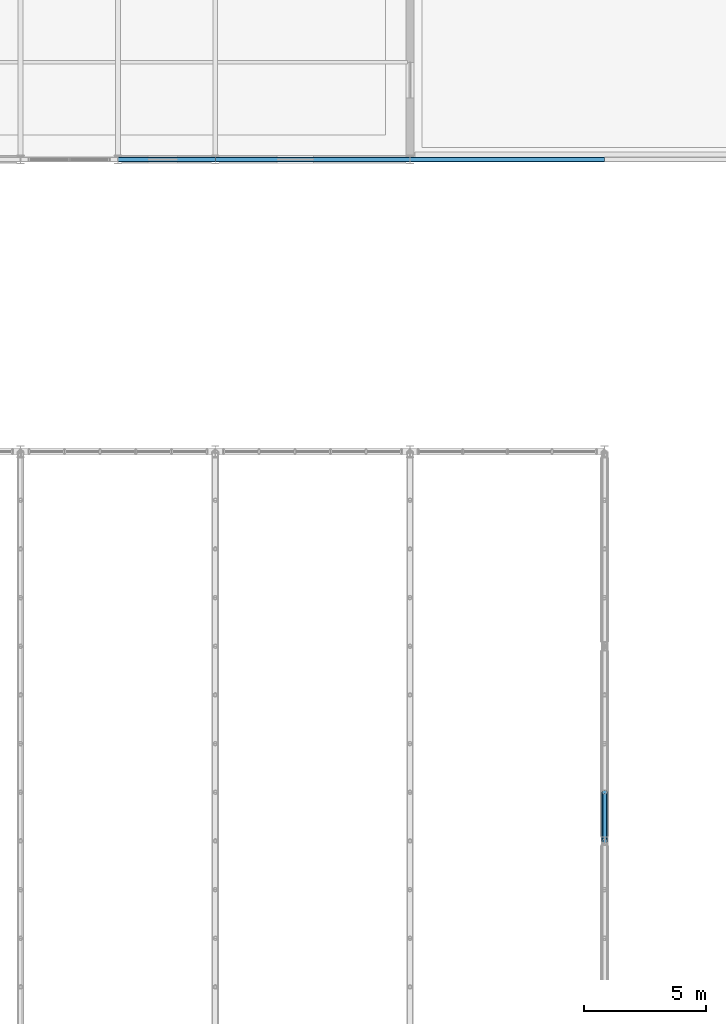
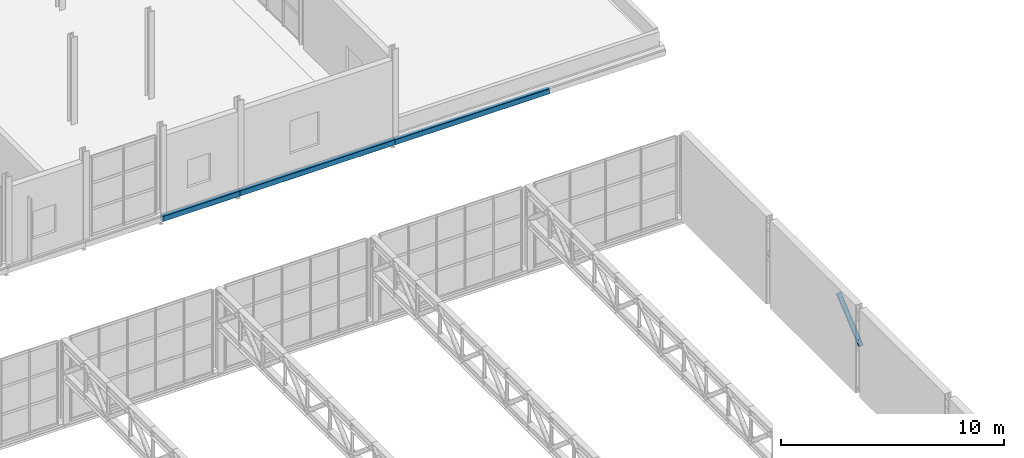
# One storey, part 96 of 143: 3 beams, 1 member.
"""IFC4 building model written with IfcOpenShell, lengths in metres."""

from ifc_helpers import new_model, si_unit, derived_unit, direction, frame, origin, origin_2d, place, context, subcontext, project, spatial, hollow_rectangle, hollow_circle, extrude, material, material_profile, profile_set, type_object, element, save


model = new_model("IFC4")

# Units and contexts
model_context = context("Model", 3, precision=1e-05, world=origin(), true_north=direction((0.0, 1.0)))
body_context = subcontext(model_context, "Body", "Model", "MODEL_VIEW")
ifc_project = project(units=[si_unit("LENGTHUNIT", "METRE"), si_unit("AREAUNIT", "SQUARE_METRE"), si_unit("VOLUMEUNIT", "CUBIC_METRE"), si_unit("PLANEANGLEUNIT", "RADIAN"), si_unit("MASSUNIT", "GRAM", prefix="KILO"), derived_unit("THERMALTRANSMITTANCEUNIT", [(si_unit("POWERUNIT", "WATT"), 1), (si_unit("LENGTHUNIT", "METRE"), -2), (si_unit("THERMODYNAMICTEMPERATUREUNIT", "KELVIN"), -1)])], contexts=[model_context])

# Site, building, storey
site_placement = place(None, origin())
site = spatial("IfcSite", under=ifc_project, at=site_placement, CompositionType="ELEMENT")
building_placement = place(site_placement, origin())
building = spatial("IfcBuilding", under=site, at=building_placement, Name="Keldorne Ridge Multi-Sports Centre", CompositionType="ELEMENT")
storey_placement = place(building_placement, frame((0.0, 0.0, 4.800048828125)))
storey = spatial("IfcBuildingStorey", under=building, at=storey_placement, Name="L01", CompositionType="ELEMENT", Elevation=4.800048828125)

# Beams
ifc_material = material(Name="Steel S355", Category="steel")
ifc_material_profile_1 = material_profile(ifc_material, hollow_rectangle(XDim=0.199951171875, YDim=0.300048828125, WallThickness=0.012451171875, InnerFilletRadius=0.012451171875, OuterFilletRadius=0.02490234375, at=origin_2d()), Name="RHS 300x200x12.5")
ifc_profile_set_1 = profile_set([ifc_material_profile_1], Name="Steel S355")
beam_type = type_object("IfcBeamType", Name="BM-SP-01", PredefinedType="SPANDREL", material=ifc_profile_set_1)
beam_placement = place(storey_placement, frame((148.0, 66.0, -0.3701171875), z_axis=(1.0, 0.0, 0.0), x_axis=(0.0, 1.0, 0.0)))
element("IfcBeam", 1, at=beam_placement, inside=storey, type_object=beam_type, Name="L01 primary beam 10.66", PredefinedType="SPANDREL", context=body_context, shape_type="SweptSolid", body=[
    extrude(hollow_rectangle(XDim=0.199951171875, YDim=0.300048828125, WallThickness=0.012451171875, InnerFilletRadius=0.012451171875, OuterFilletRadius=0.02490234375, at=origin_2d()), origin(), (0.0, 0.0, 1.0), 4.0),
])
for number, where, z_axis, x_axis, name in (
    (2, (152.0, 66.0, -0.3701171875), (1.0, 0.0, 0.0), (0.0, 1.0, 0.0), "L01 primary beam 11.66"),
    (3, (160.0, 66.0, -0.380126953125), (1.0, 0.0, 0.0), (0.0, 1.0, 0.0), "L01 primary beam 12.66"),
):
    element("IfcBeam", number, at=place(storey_placement, frame(where, z_axis=z_axis, x_axis=x_axis)), inside=storey, type_object=beam_type, Name=name, PredefinedType="SPANDREL", context=body_context, shape_type="SweptSolid", body=[
        extrude(hollow_rectangle(XDim=0.199951171875, YDim=0.300048828125, WallThickness=0.012451171875, InnerFilletRadius=0.012451171875, OuterFilletRadius=0.02490234375, at=origin_2d()), origin(), (0.0, 0.0, 1.0), 8.0),
    ])

# Member
ifc_material_profile_2 = material_profile(ifc_material, hollow_circle(Radius=0.122314453125, WallThickness=0.012451171875, at=origin_2d()), Name="CHS 244.5x12.5")
ifc_profile_set_2 = profile_set([ifc_material_profile_2], Name="Steel S355")
member_type = type_object("IfcMemberType", Name="MEM-TD-02", PredefinedType="BRACE", material=ifc_profile_set_2)
member_placement = place(storey_placement, frame((168.0, 38.0, 2.6298828125), z_axis=(0.0, 0.765671721121, 0.643231541108), x_axis=(-1.0, 0.0, 0.0)))
element("IfcMember", 4, at=member_placement, inside=storey, type_object=member_type, Name="Stacked Courts Warren TRUSS WT-L02-09 diagonal 17", PredefinedType="BRACE", context=body_context, shape_type="SweptSolid", body=[
    extrude(hollow_circle(Radius=0.122314453125, WallThickness=0.012451171875, at=origin_2d()), origin(), (0.0, 0.0, 1.0), 2.612060546875),
])

save(model, "model.ifc")
